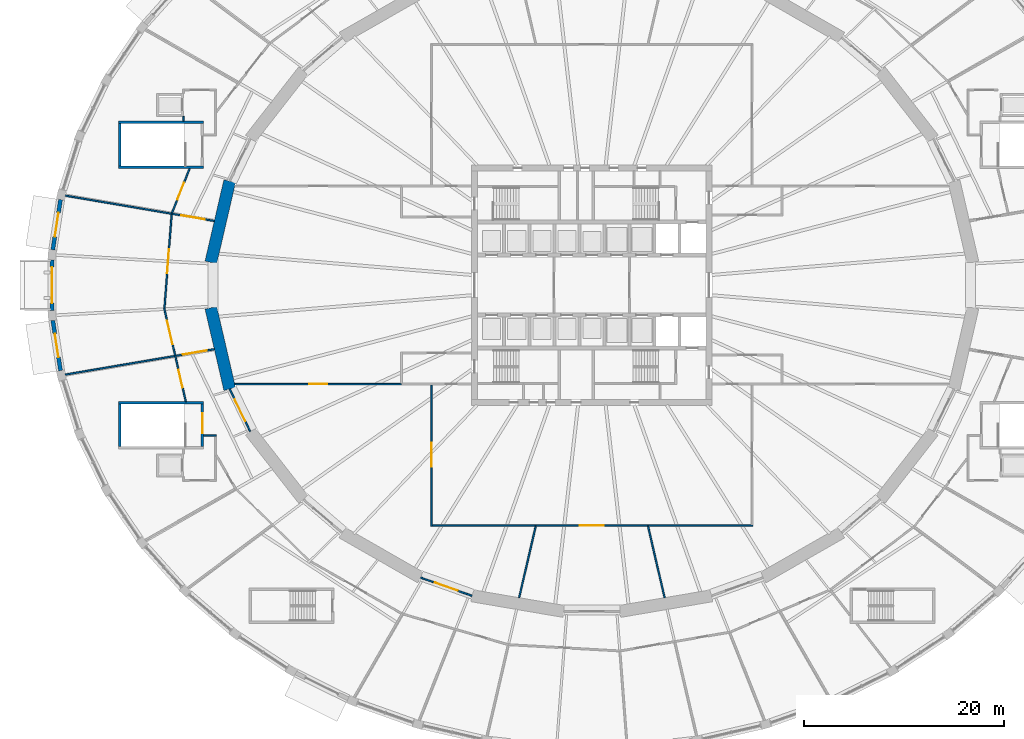
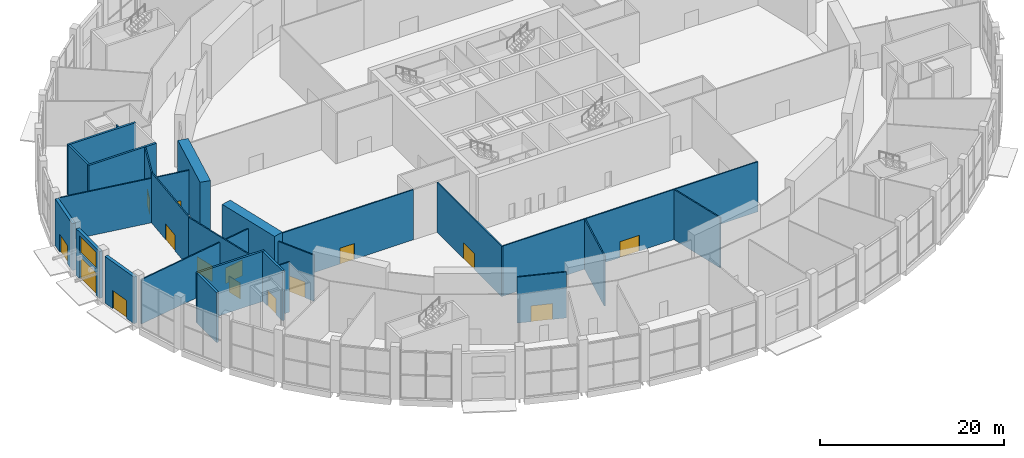
# One storey, part 20 of 33: 26 walls, 15 doors, 1 window, 16 openings.
"""IFC4 building model written with IfcOpenShell, lengths in metres."""

from ifc_helpers import new_model, si_unit, direction, frame, frame_2d, origin, place, context, subcontext, project, spatial, polyline, rectangle, outline, extrude, material, layer, layer_set, type_object, element, fill, save


model = new_model("IFC4")

# Units and contexts
model_context = context("Model", 3, precision=1e-05, world=origin(), true_north=direction((0.0, 1.0)))
body_context = subcontext(model_context, "Body", "Model", "MODEL_VIEW")
ifc_project = project(units=[si_unit("LENGTHUNIT", "METRE"), si_unit("AREAUNIT", "SQUARE_METRE"), si_unit("VOLUMEUNIT", "CUBIC_METRE"), si_unit("PLANEANGLEUNIT", "RADIAN"), si_unit("MASSUNIT", "GRAM", prefix="KILO")], contexts=[model_context])

# Site, building, storey
site_placement = place(None, origin())
site = spatial("IfcSite", under=ifc_project, at=site_placement, CompositionType="ELEMENT")
building_placement = place(site_placement, origin())
building = spatial("IfcBuilding", under=site, at=building_placement, Name="Halqa Exchange Tower", CompositionType="ELEMENT")
storey_placement = place(building_placement, origin())
storey = spatial("IfcBuildingStorey", under=building, at=storey_placement, Name="L00", CompositionType="ELEMENT", Elevation=0.0)

# Wall, opening, door
ifc_material_1 = material(Name="Fire-rated gypsum board")
ifc_layer_1 = layer(ifc_material_1, 0.14990234375)
ifc_layer_set_1 = layer_set([ifc_layer_1], Name="Fire-rated gypsum board")
wall_type_1 = type_object("IfcWallType", Name="Fire partition EI 60 150", PredefinedType="PARTITIONING", material=ifc_layer_set_1)
wall_1_placement = place(storey_placement, frame((-52.574951171875, 8.935546875, 0.0), z_axis=(0.0, 0.0, 1.0), x_axis=(0.985799938149, -0.167924036236, 0.0)))
wall_1 = element("IfcWall", 1, at=wall_1_placement, inside=storey, type_object=wall_type_1, Name="L00-PWL-001", PredefinedType="PARTITIONING", context=body_context, shape_type="SweptSolid", body=[
    extrude(outline(polyline([(-0.00439453125, -0.074951171875), (15.096923828125, -0.074951171875), (15.105712890625, 0.074951171875), (0.00439453125, 0.074951171875), (-0.00439453125, -0.074951171875)])), origin(), (0.0, 0.0, 1.0), 5.89697265625),
])
opening_1_placement = place(wall_1_placement, frame((11.7431640625, 0.0, 0.0)))
opening_1 = element("IfcOpeningElement", 2, at=opening_1_placement, cuts=wall_1, Name="Opening L00-35", PredefinedType="OPENING", context=body_context, shape_type="SweptSolid", body=[
    extrude(rectangle(XDim=2.39990234375, YDim=2.10009765625, at=frame_2d((1.199951171875, 1.050048828125))), frame((0.0, 0.0869140625, 0.0), z_axis=(0.0, -1.0, 0.0), x_axis=(1.0, 0.0, 0.0)), (0.0, 0.0, 1.0), 0.173828125),
])
ifc_material_2 = material(Name="Steel fire door leaf", Category="steel")
door_type_1 = type_object("IfcDoorType", Name="Fire door FD60S double 2400 x 2100", OperationType="DOUBLE_DOOR_SINGLE_SWING", PredefinedType="DOOR", material=ifc_material_2)
door_1_placement = place(opening_1_placement, origin())
door_1 = element("IfcDoor", 3, at=door_1_placement, inside=storey, type_object=door_type_1, Name="L00-IDR-035", OperationType="DOUBLE_DOOR_SINGLE_SWING", OverallHeight=2.10009765625, OverallWidth=2.39990234375, PredefinedType="DOOR", context=body_context, shape_type="SweptSolid", body=[
    extrude(rectangle(XDim=2.39990234375, YDim=2.10009765625, at=frame_2d((1.199951171875, 1.050048828125))), frame((0.0, 0.02490234375, 0.0), z_axis=(0.0, -1.0, 0.0), x_axis=(1.0, 0.0, 0.0)), (0.0, 0.0, 1.0), 0.050048828125),
])
fill(opening_1, door_1)

# Wall, openings, doors
wall_2_placement = place(storey_placement, frame((-42.694091796875, -2.285888671875, 0.0), z_axis=(0.0, 0.0, 1.0), x_axis=(0.225867367758, -0.974158063243, 0.0)))
wall_2 = element("IfcWall", 4, at=wall_2_placement, inside=storey, type_object=wall_type_1, Name="L00-PWL-003", PredefinedType="PARTITIONING", context=body_context, shape_type="SweptSolid", body=[
    extrude(outline(polyline([(0.0, -0.074951171875), (9.5703125, -0.074951171875), (9.60498046875, 0.074951171875), (0.0, 0.074951171875), (0.0, -0.074951171875)])), origin(), (0.0, 0.0, 1.0), 6.64990234375),
])
opening_2_placement = place(wall_2_placement, frame((1.3095703125, 0.0, 0.0)))
opening_2 = element("IfcOpeningElement", 5, at=opening_2_placement, cuts=wall_2, Name="Opening L00-06", PredefinedType="OPENING", context=body_context, shape_type="SweptSolid", body=[
    extrude(rectangle(XDim=2.39990234375, YDim=2.10009765625, at=frame_2d((1.199951171875, 1.050048828125))), frame((0.0, 0.0869140625, 0.0), z_axis=(0.0, -1.0, 0.0), x_axis=(1.0, 0.0, 0.0)), (0.0, 0.0, 1.0), 0.173828125),
])
opening_3_placement = place(wall_2_placement, frame((6.346923828125, 0.0, 0.0)))
opening_3 = element("IfcOpeningElement", 6, at=opening_3_placement, cuts=wall_2, Name="Opening L00-69", PredefinedType="OPENING", context=body_context, shape_type="SweptSolid", body=[
    extrude(rectangle(XDim=1.800048828125, YDim=2.10009765625, at=frame_2d((0.89990234375, 1.050048828125))), frame((0.0, 0.0869140625, 0.0), z_axis=(0.0, -1.0, 0.0), x_axis=(1.0, 0.0, 0.0)), (0.0, 0.0, 1.0), 0.173828125),
])
door_type_2 = type_object("IfcDoorType", Name="Fire door FD30S double 1800 x 2100", OperationType="DOUBLE_DOOR_SINGLE_SWING", PredefinedType="DOOR", material=ifc_material_2)
door_2_placement = place(opening_3_placement, origin())
door_2 = element("IfcDoor", 7, at=door_2_placement, inside=storey, type_object=door_type_2, Name="L00-IDR-069", OperationType="DOUBLE_DOOR_SINGLE_SWING", OverallHeight=2.10009765625, OverallWidth=1.800048828125, PredefinedType="DOOR", context=body_context, shape_type="SweptSolid", body=[
    extrude(rectangle(XDim=1.800048828125, YDim=2.10009765625, at=frame_2d((0.89990234375, 1.050048828125))), frame((0.0, 0.02490234375, 0.0), z_axis=(0.0, -1.0, 0.0), x_axis=(1.0, 0.0, 0.0)), (0.0, 0.0, 1.0), 0.050048828125),
])
fill(opening_3, door_2)
door_3_placement = place(opening_2_placement, frame((2.39990234375, 0.0, 0.0), z_axis=(0.0, 0.0, 1.0), x_axis=(-1.0, 0.0, 0.0)))
door_3 = element("IfcDoor", 8, at=door_3_placement, inside=storey, type_object=door_type_1, Name="L00-IDR-006", OperationType="DOUBLE_DOOR_SINGLE_SWING", OverallHeight=2.10009765625, OverallWidth=2.39990234375, PredefinedType="DOOR", context=body_context, shape_type="SweptSolid", body=[
    extrude(rectangle(XDim=2.39990234375, YDim=2.10009765625, at=frame_2d((1.199951171875, 1.050048828125))), frame((0.0, 0.02490234375, 0.0), z_axis=(0.0, -1.0, 0.0), x_axis=(1.0, 0.0, 0.0)), (0.0, 0.0, 1.0), 0.050048828125),
])
fill(opening_2, door_3)

# Wall, opening, door
wall_3_placement = place(storey_placement, frame((-41.9462890625, 7.0498046875, 0.0), z_axis=(0.0, 0.0, 1.0), x_axis=(-0.076457040773, -0.997072876432, 0.0)))
wall_3 = element("IfcWall", 9, at=wall_3_placement, inside=storey, type_object=wall_type_1, Name="L00-PWL-004", PredefinedType="PARTITIONING", context=body_context, shape_type="SweptSolid", body=[
    extrude(outline(polyline([(-0.0068359375, -0.074951171875), (9.35595703125, -0.074951171875), (9.35595703125, 0.074951171875), (0.0068359375, 0.074951171875), (-0.0068359375, -0.074951171875)])), origin(), (0.0, 0.0, 1.0), 6.64990234375),
])
opening_4_placement = place(wall_3_placement, frame((3.493408203125, 0.0, 0.0)))
opening_4 = element("IfcOpeningElement", 10, at=opening_4_placement, cuts=wall_3, Name="Opening L00-05", PredefinedType="OPENING", context=body_context, shape_type="SweptSolid", body=[
    extrude(rectangle(XDim=2.39990234375, YDim=2.10009765625, at=frame_2d((1.199951171875, 1.050048828125))), frame((0.0, 0.0869140625, 0.0), z_axis=(0.0, -1.0, 0.0), x_axis=(1.0, 0.0, 0.0)), (0.0, 0.0, 1.0), 0.173828125),
])
door_4_placement = place(opening_4_placement, frame((2.39990234375, 0.0, 0.0), z_axis=(0.0, 0.0, 1.0), x_axis=(-1.0, 0.0, 0.0)))
door_4 = element("IfcDoor", 11, at=door_4_placement, inside=storey, type_object=door_type_1, Name="L00-IDR-005", OperationType="DOUBLE_DOOR_SINGLE_SWING", OverallHeight=2.10009765625, OverallWidth=2.39990234375, PredefinedType="DOOR", context=body_context, shape_type="SweptSolid", body=[
    extrude(rectangle(XDim=2.39990234375, YDim=2.10009765625, at=frame_2d((1.199951171875, 1.050048828125))), frame((0.0, 0.02490234375, 0.0), z_axis=(0.0, -1.0, 0.0), x_axis=(1.0, 0.0, 0.0)), (0.0, 0.0, 1.0), 0.050048828125),
])
fill(opening_4, door_4)

wall_4_placement = place(storey_placement, frame((-41.914306640625, 7.195068359375, 0.0), z_axis=(0.0, 0.0, 1.0), x_axis=(0.367845408551, 0.929886958403, 0.0)))
wall_4 = element("IfcWall", 12, at=wall_4_placement, inside=storey, type_object=wall_type_1, Name="L00-PWL-005", PredefinedType="PARTITIONING", context=body_context, shape_type="SweptSolid", body=[
    extrude(outline(polyline([(0.015869140625, -0.074951171875), (4.794189453125, -0.074951171875), (4.735107421875, 0.074951171875), (-0.015869140625, 0.074951171875), (0.015869140625, -0.074951171875)])), origin(), (0.0, 0.0, 1.0), 6.64990234375),
])
opening_5_placement = place(wall_4_placement, frame((1.44970703125, 0.0, 0.0)))
opening_5 = element("IfcOpeningElement", 13, at=opening_5_placement, cuts=wall_4, Name="Opening L00-68", PredefinedType="OPENING", context=body_context, shape_type="SweptSolid", body=[
    extrude(rectangle(XDim=1.800048828125, YDim=2.10009765625, at=frame_2d((0.89990234375, 1.050048828125))), frame((0.0, 0.0869140625, 0.0), z_axis=(0.0, -1.0, 0.0), x_axis=(1.0, 0.0, 0.0)), (0.0, 0.0, 1.0), 0.173828125),
])
door_5_placement = place(opening_5_placement, frame((1.800048828125, 0.0, 0.0), z_axis=(0.0, 0.0, 1.0), x_axis=(-1.0, 0.0, 0.0)))
door_5 = element("IfcDoor", 14, at=door_5_placement, inside=storey, type_object=door_type_2, Name="L00-IDR-068", OperationType="DOUBLE_DOOR_SINGLE_SWING", OverallHeight=2.10009765625, OverallWidth=1.800048828125, PredefinedType="DOOR", context=body_context, shape_type="SweptSolid", body=[
    extrude(rectangle(XDim=1.800048828125, YDim=2.10009765625, at=frame_2d((0.89990234375, 1.050048828125))), frame((0.0, 0.02490234375, 0.0), z_axis=(0.0, -1.0, 0.0), x_axis=(1.0, 0.0, 0.0)), (0.0, 0.0, 1.0), 0.050048828125),
])
fill(opening_5, door_5)

# Walls
wall_5_placement = place(storey_placement, frame((-41.657958984375, -7.083251953125, 0.0), z_axis=(0.0, 0.0, 1.0), x_axis=(-0.985913056055, -0.167258619806, 0.0)))
element("IfcWall", 15, at=wall_5_placement, inside=storey, type_object=wall_type_1, Name="L00-PWL-006", PredefinedType="PARTITIONING", context=body_context, shape_type="SweptSolid", body=[
    extrude(outline(polyline([(0.00439453125, -0.074951171875), (11.077392578125, -0.074951171875), (11.068603515625, 0.074951171875), (-0.00439453125, 0.074951171875), (0.00439453125, -0.074951171875)])), origin(), (0.0, 0.0, 1.0), 5.89697265625),
])
wall_6_placement = place(storey_placement, frame((-40.75, 16.3740234375, 0.0), z_axis=(0.0, 0.0, 1.0), x_axis=(0.0, 1.0, 0.0)))
element("IfcWall", 16, at=wall_6_placement, inside=storey, type_object=wall_type_1, Name="L00-PWL-009", PredefinedType="PARTITIONING", context=body_context, shape_type="SweptSolid", body=[
    extrude(rectangle(XDim=0.47607421875, YDim=0.14990234375, at=frame_2d((0.238037109375, 0.0))), origin(), (0.0, 0.0, 1.0), 6.64990234375),
])
wall_7_placement = place(storey_placement, frame((-38.7509765625, -15.0, 0.0), z_axis=(0.0, 0.0, 1.0), x_axis=(1.0, 0.0, 0.0)))
element("IfcWall", 17, at=wall_7_placement, inside=storey, type_object=wall_type_1, Name="L00-PWL-013", PredefinedType="PARTITIONING", context=body_context, shape_type="SweptSolid", body=[
    extrude(rectangle(XDim=1.27587890625, YDim=0.14990234375, at=frame_2d((0.637939453125, 0.0))), origin(), (0.0, 0.0, 1.0), 6.64990234375),
])

# Wall, opening, door
wall_8_placement = place(storey_placement, frame((-37.68798828125, -6.399658203125, 0.0), z_axis=(0.0, 0.0, 1.0), x_axis=(-0.985493521891, -0.169713046966, 0.0)))
wall_8 = element("IfcWall", 18, at=wall_8_placement, inside=storey, type_object=wall_type_1, Name="L00-PWL-014", PredefinedType="PARTITIONING", context=body_context, shape_type="SweptSolid", body=[
    extrude(outline(polyline([(0.00439453125, -0.074951171875), (3.88427734375, -0.074951171875), (3.87548828125, 0.074951171875), (-0.00439453125, 0.074951171875), (0.00439453125, -0.074951171875)])), origin(), (0.0, 0.0, 1.0), 5.89697265625),
])
opening_6_placement = place(wall_8_placement, frame((0.775634765625, 0.0, 0.0)))
opening_6 = element("IfcOpeningElement", 19, at=opening_6_placement, cuts=wall_8, Name="Opening L00-36", PredefinedType="OPENING", context=body_context, shape_type="SweptSolid", body=[
    extrude(rectangle(XDim=2.39990234375, YDim=2.10009765625, at=frame_2d((1.199951171875, 1.050048828125))), frame((0.0, 0.0869140625, 0.0), z_axis=(0.0, -1.0, 0.0), x_axis=(1.0, 0.0, 0.0)), (0.0, 0.0, 1.0), 0.173828125),
])
door_6_placement = place(opening_6_placement, origin())
door_6 = element("IfcDoor", 20, at=door_6_placement, inside=storey, type_object=door_type_1, Name="L00-IDR-036", OperationType="DOUBLE_DOOR_SINGLE_SWING", OverallHeight=2.10009765625, OverallWidth=2.39990234375, PredefinedType="DOOR", context=body_context, shape_type="SweptSolid", body=[
    extrude(rectangle(XDim=2.39990234375, YDim=2.10009765625, at=frame_2d((1.199951171875, 1.050048828125))), frame((0.0, 0.02490234375, 0.0), z_axis=(0.0, -1.0, 0.0), x_axis=(1.0, 0.0, 0.0)), (0.0, 0.0, 1.0), 0.050048828125),
])
fill(opening_6, door_6)

wall_9_placement = place(storey_placement, frame((-34.1005859375, -14.608642578125, 0.0), z_axis=(0.0, 0.0, 1.0), x_axis=(-0.436102687495, 0.899896908518, 0.0)))
wall_9 = element("IfcWall", 21, at=wall_9_placement, inside=storey, type_object=wall_type_1, Name="L00-PWL-025", PredefinedType="PARTITIONING", context=body_context, shape_type="SweptSolid", body=[
    extrude(outline(polyline([(0.01611328125, -0.074951171875), (4.68212890625, -0.074951171875), (4.71630859375, 0.074951171875), (-0.01611328125, 0.074951171875), (0.01611328125, -0.074951171875)])), origin(), (0.0, 0.0, 1.0), 6.10009765625),
])
opening_7_placement = place(wall_9_placement, frame((1.148681640625, 0.0, 0.0)))
opening_7 = element("IfcOpeningElement", 22, at=opening_7_placement, cuts=wall_9, Name="Opening L00-28", PredefinedType="OPENING", context=body_context, shape_type="SweptSolid", body=[
    extrude(rectangle(XDim=2.39990234375, YDim=2.10009765625, at=frame_2d((1.199951171875, 1.050048828125))), frame((0.0, 0.0869140625, 0.0), z_axis=(0.0, -1.0, 0.0), x_axis=(1.0, 0.0, 0.0)), (0.0, 0.0, 1.0), 0.173828125),
])
door_7_placement = place(opening_7_placement, frame((2.39990234375, 0.0, 0.0), z_axis=(0.0, 0.0, 1.0), x_axis=(-1.0, 0.0, 0.0)))
door_7 = element("IfcDoor", 23, at=door_7_placement, inside=storey, type_object=door_type_1, Name="L00-IDR-028", OperationType="DOUBLE_DOOR_SINGLE_SWING", OverallHeight=2.10009765625, OverallWidth=2.39990234375, PredefinedType="DOOR", context=body_context, shape_type="SweptSolid", body=[
    extrude(rectangle(XDim=2.39990234375, YDim=2.10009765625, at=frame_2d((1.199951171875, 1.050048828125))), frame((0.0, 0.02490234375, 0.0), z_axis=(0.0, -1.0, 0.0), x_axis=(1.0, 0.0, 0.0)), (0.0, 0.0, 1.0), 0.050048828125),
])
fill(opening_7, door_7)

wall_10_placement = place(storey_placement, frame((-18.9990234375, -9.8798828125, 0.0), z_axis=(0.0, 0.0, 1.0), x_axis=(-1.0, 0.0, 0.0)))
wall_10 = element("IfcWall", 24, at=wall_10_placement, inside=storey, type_object=wall_type_1, Name="L00-PWL-032", PredefinedType="PARTITIONING", context=body_context, shape_type="SweptSolid", body=[
    extrude(outline(polyline([(0.0, -0.074951171875), (16.668212890625, -0.074951171875), (16.633544921875, 0.074951171875), (0.0, 0.074951171875), (0.0, -0.074951171875)])), origin(), (0.0, 0.0, 1.0), 6.64990234375),
])
opening_8_placement = place(wall_10_placement, frame((7.406005859375, 0.0, 0.0)))
opening_8 = element("IfcOpeningElement", 25, at=opening_8_placement, cuts=wall_10, Name="Opening L00-08", PredefinedType="OPENING", context=body_context, shape_type="SweptSolid", body=[
    extrude(rectangle(XDim=1.800048828125, YDim=2.10009765625, at=frame_2d((0.89990234375, 1.050048828125))), frame((0.0, 0.0869140625, 0.0), z_axis=(0.0, -1.0, 0.0), x_axis=(1.0, 0.0, 0.0)), (0.0, 0.0, 1.0), 0.173828125),
])
door_8_placement = place(opening_8_placement, origin())
door_8 = element("IfcDoor", 26, at=door_8_placement, inside=storey, type_object=door_type_2, Name="L00-IDR-008", OperationType="DOUBLE_DOOR_SINGLE_SWING", OverallHeight=2.10009765625, OverallWidth=1.800048828125, PredefinedType="DOOR", context=body_context, shape_type="SweptSolid", body=[
    extrude(rectangle(XDim=1.800048828125, YDim=2.10009765625, at=frame_2d((0.89990234375, 1.050048828125))), frame((0.0, 0.02490234375, 0.0), z_axis=(0.0, -1.0, 0.0), x_axis=(1.0, 0.0, 0.0)), (0.0, 0.0, 1.0), 0.050048828125),
])
fill(opening_8, door_8)

wall_11_placement = place(storey_placement, frame((-16.0, -24.074951171875, 0.0), z_axis=(0.0, 0.0, 1.0), x_axis=(0.0, 1.0, 0.0)))
wall_11 = element("IfcWall", 27, at=wall_11_placement, inside=storey, type_object=wall_type_1, Name="L00-PWL-042", PredefinedType="PARTITIONING", context=body_context, shape_type="SweptSolid", body=[
    extrude(rectangle(XDim=14.094970703125, YDim=0.14990234375, at=frame_2d((7.04736328125, 0.0))), origin(), (0.0, 0.0, 1.0), 6.64990234375),
])
opening_9_placement = place(wall_11_placement, frame((5.93505859375, 0.0, 0.0)))
opening_9 = element("IfcOpeningElement", 28, at=opening_9_placement, cuts=wall_11, Name="Opening L00-13", PredefinedType="OPENING", context=body_context, shape_type="SweptSolid", body=[
    extrude(rectangle(XDim=2.39990234375, YDim=2.10009765625, at=frame_2d((1.199951171875, 1.050048828125))), frame((0.0, 0.0869140625, 0.0), z_axis=(0.0, -1.0, 0.0), x_axis=(1.0, 0.0, 0.0)), (0.0, 0.0, 1.0), 0.173828125),
])
door_9_placement = place(opening_9_placement, origin())
door_9 = element("IfcDoor", 29, at=door_9_placement, inside=storey, type_object=door_type_1, Name="L00-IDR-013", OperationType="DOUBLE_DOOR_SINGLE_SWING", OverallHeight=2.10009765625, OverallWidth=2.39990234375, PredefinedType="DOOR", context=body_context, shape_type="SweptSolid", body=[
    extrude(rectangle(XDim=2.39990234375, YDim=2.10009765625, at=frame_2d((1.199951171875, 1.050048828125))), frame((0.0, 0.02490234375, 0.0), z_axis=(0.0, -1.0, 0.0), x_axis=(1.0, 0.0, 0.0)), (0.0, 0.0, 1.0), 0.050048828125),
])
fill(opening_9, door_9)

wall_12_placement = place(storey_placement, frame((-15.925048828125, -24.0, 0.0), z_axis=(0.0, 0.0, 1.0), x_axis=(1.0, 0.0, 0.0)))
wall_12 = element("IfcWall", 30, at=wall_12_placement, inside=storey, type_object=wall_type_1, Name="L00-PWL-043", PredefinedType="PARTITIONING", context=body_context, shape_type="SweptSolid", body=[
    extrude(rectangle(XDim=32.0, YDim=0.14990234375, at=frame_2d((16.0, 0.0))), origin(), (0.0, 0.0, 1.0), 6.64990234375),
])
opening_10_placement = place(wall_12_placement, frame((14.72509765625, 0.0, 0.0)))
opening_10 = element("IfcOpeningElement", 31, at=opening_10_placement, cuts=wall_12, Name="Opening L00-18", PredefinedType="OPENING", context=body_context, shape_type="SweptSolid", body=[
    extrude(rectangle(XDim=2.39990234375, YDim=2.10009765625, at=frame_2d((1.199951171875, 1.050048828125))), frame((0.0, 0.0869140625, 0.0), z_axis=(0.0, -1.0, 0.0), x_axis=(1.0, 0.0, 0.0)), (0.0, 0.0, 1.0), 0.173828125),
])
door_10_placement = place(opening_10_placement, frame((2.39990234375, 0.0, 0.0), z_axis=(0.0, 0.0, 1.0), x_axis=(-1.0, 0.0, 0.0)))
door_10 = element("IfcDoor", 32, at=door_10_placement, inside=storey, type_object=door_type_1, Name="L00-IDR-018", OperationType="DOUBLE_DOOR_SINGLE_SWING", OverallHeight=2.10009765625, OverallWidth=2.39990234375, PredefinedType="DOOR", context=body_context, shape_type="SweptSolid", body=[
    extrude(rectangle(XDim=2.39990234375, YDim=2.10009765625, at=frame_2d((1.199951171875, 1.050048828125))), frame((0.0, 0.02490234375, 0.0), z_axis=(0.0, -1.0, 0.0), x_axis=(1.0, 0.0, 0.0)), (0.0, 0.0, 1.0), 0.050048828125),
])
fill(opening_10, door_10)

wall_13_placement = place(storey_placement, frame((-11.966796875, -31.01123046875, 0.0), z_axis=(0.0, 0.0, 1.0), x_axis=(-0.942814385805, 0.333318217204, 0.0)))
wall_13 = element("IfcWall", 33, at=wall_13_placement, inside=storey, type_object=wall_type_1, Name="L00-PWL-049", PredefinedType="PARTITIONING", context=body_context, shape_type="SweptSolid", body=[
    extrude(outline(polyline([(0.012939453125, -0.074951171875), (5.421142578125, -0.074951171875), (5.448486328125, 0.074951171875), (-0.012939453125, 0.074951171875), (0.012939453125, -0.074951171875)])), origin(), (0.0, 0.0, 1.0), 6.10009765625),
])
opening_11_placement = place(wall_13_placement, frame((1.518798828125, 0.0, 0.0)))
opening_11 = element("IfcOpeningElement", 34, at=opening_11_placement, cuts=wall_13, Name="Opening L00-30", PredefinedType="OPENING", context=body_context, shape_type="SweptSolid", body=[
    extrude(rectangle(XDim=2.39990234375, YDim=2.10009765625, at=frame_2d((1.199951171875, 1.050048828125))), frame((0.0, 0.0869140625, 0.0), z_axis=(0.0, -1.0, 0.0), x_axis=(1.0, 0.0, 0.0)), (0.0, 0.0, 1.0), 0.173828125),
])
door_11_placement = place(opening_11_placement, frame((2.39990234375, 0.0, 0.0), z_axis=(0.0, 0.0, 1.0), x_axis=(-1.0, 0.0, 0.0)))
door_11 = element("IfcDoor", 35, at=door_11_placement, inside=storey, type_object=door_type_1, Name="L00-IDR-030", OperationType="DOUBLE_DOOR_SINGLE_SWING", OverallHeight=2.10009765625, OverallWidth=2.39990234375, PredefinedType="DOOR", context=body_context, shape_type="SweptSolid", body=[
    extrude(rectangle(XDim=2.39990234375, YDim=2.10009765625, at=frame_2d((1.199951171875, 1.050048828125))), frame((0.0, 0.02490234375, 0.0), z_axis=(0.0, -1.0, 0.0), x_axis=(1.0, 0.0, 0.0)), (0.0, 0.0, 1.0), 0.050048828125),
])
fill(opening_11, door_11)

# Walls
wall_14_placement = place(storey_placement, frame((-7.260986328125, -31.203857421875, 0.0), z_axis=(0.0, 0.0, 1.0), x_axis=(0.225955625045, 0.974137595779, 0.0)))
element("IfcWall", 36, at=wall_14_placement, inside=storey, type_object=wall_type_1, Name="L00-PWL-052", PredefinedType="PARTITIONING", context=body_context, shape_type="SweptSolid", body=[
    extrude(outline(polyline([(0.00439453125, -0.074951171875), (7.33642578125, -0.074951171875), (7.3017578125, 0.074951171875), (-0.00439453125, 0.074951171875), (0.00439453125, -0.074951171875)])), origin(), (0.0, 0.0, 1.0), 6.64990234375),
])
wall_15_placement = place(storey_placement, frame((5.607177734375, -24.073974609375, 0.0), z_axis=(0.0, 0.0, 1.0), x_axis=(0.225955625045, -0.974137595779, 0.0)))
element("IfcWall", 37, at=wall_15_placement, inside=storey, type_object=wall_type_1, Name="L00-PWL-063", PredefinedType="PARTITIONING", context=body_context, shape_type="SweptSolid", body=[
    extrude(outline(polyline([(-0.017333984375, -0.074951171875), (7.314697265625, -0.074951171875), (7.323486328125, 0.074951171875), (0.017333984375, 0.074951171875), (-0.017333984375, -0.074951171875)])), origin(), (0.0, 0.0, 1.0), 6.64990234375),
])
ifc_material_3 = material(Name="Concrete C80/95", Category="concrete")
ifc_layer_2 = layer(ifc_material_3, 1.199951171875)
ifc_layer_set_2 = layer_set([ifc_layer_2], Name="Concrete C80/95")
wall_type_2 = type_object("IfcWallType", Name="RC ring pier 1200 C80/95", PredefinedType="SHEAR", material=ifc_layer_set_2)
for number, where, z_axis, x_axis, name in (
    (38, (-36.14892578125, 10.38037109375, 0.0), (0.0, 0.0, 1.0), (-0.226058185805, -0.974113800657, 0.0), "Ring pier 8"),
    (39, (-38.03173828125, -2.26708984375, 0.0), (0.0, 0.0, 1.0), (0.226058185805, -0.974113800657, 0.0), "Ring pier 9"),
):
    element("IfcWall", number, at=place(storey_placement, frame(where, z_axis=z_axis, x_axis=x_axis)), inside=storey, type_object=wall_type_2, Name=name, PredefinedType="SHEAR", context=body_context, shape_type="SweptSolid", body=[
        extrude(rectangle(XDim=8.328857421875, YDim=1.199951171875, at=frame_2d((4.16455078125, 0.0))), origin(), (0.0, 0.0, 1.0), 7.0),
    ])
ifc_material_4 = material(Name="Concrete C30/37", Category="concrete")
ifc_layer_3 = layer(ifc_material_4, 0.25)
ifc_layer_set_3 = layer_set([ifc_layer_3], Name="Concrete C30/37")
wall_type_3 = type_object("IfcWallType", Name="RC stair wall 250 C30/37", PredefinedType="SHEAR", material=ifc_layer_set_3)
for number, where, z_axis, x_axis, name in (
    (40, (-47.25, 16.25, 0.0), (0.0, 0.0, 1.0), (1.0, 0.0, 0.0), "Stair SS3 wall north"),
    (41, (-47.25, 11.75, 0.0), (0.0, 0.0, 1.0), (1.0, 0.0, 0.0), "Stair SS3 wall south"),
):
    element("IfcWall", number, at=place(storey_placement, frame(where, z_axis=z_axis, x_axis=x_axis)), inside=storey, type_object=wall_type_3, Name=name, PredefinedType="SHEAR", context=body_context, shape_type="SweptSolid", body=[
        extrude(rectangle(XDim=8.5, YDim=0.25, at=frame_2d((4.25, 0.0))), origin(), (0.0, 0.0, 1.0), 6.64990234375),
    ])
wall_16_placement = place(storey_placement, frame((-47.125, 11.875, 0.0), z_axis=(0.0, 0.0, 1.0), x_axis=(0.0, 1.0, 0.0)))
element("IfcWall", 42, at=wall_16_placement, inside=storey, type_object=wall_type_3, Name="Stair SS3 wall west", PredefinedType="SHEAR", context=body_context, shape_type="SweptSolid", body=[
    extrude(rectangle(XDim=4.25, YDim=0.25, at=frame_2d((2.125, 0.0))), origin(), (0.0, 0.0, 1.0), 6.64990234375),
])
wall_17_placement = place(storey_placement, frame((-47.25, -11.75, 0.0), z_axis=(0.0, 0.0, 1.0), x_axis=(1.0, 0.0, 0.0)))
element("IfcWall", 43, at=wall_17_placement, inside=storey, type_object=wall_type_3, Name="Stair SS4 wall north", PredefinedType="SHEAR", context=body_context, shape_type="SweptSolid", body=[
    extrude(rectangle(XDim=8.5, YDim=0.25, at=frame_2d((4.25, 0.0))), origin(), (0.0, 0.0, 1.0), 6.64990234375),
])
wall_18_placement = place(storey_placement, frame((-47.125, -16.125, 0.0), z_axis=(0.0, 0.0, 1.0), x_axis=(0.0, 1.0, 0.0)))
element("IfcWall", 44, at=wall_18_placement, inside=storey, type_object=wall_type_3, Name="Stair SS4 wall west", PredefinedType="SHEAR", context=body_context, shape_type="SweptSolid", body=[
    extrude(rectangle(XDim=4.25, YDim=0.25, at=frame_2d((2.125, 0.0))), origin(), (0.0, 0.0, 1.0), 6.64990234375),
])

# Wall, opening, door
wall_19_placement = place(storey_placement, frame((-38.875, -16.125, 0.0), z_axis=(0.0, 0.0, 1.0), x_axis=(0.0, 1.0, 0.0)))
wall_19 = element("IfcWall", 45, at=wall_19_placement, inside=storey, type_object=wall_type_3, Name="Stair SS4 wall east", PredefinedType="SHEAR", context=body_context, shape_type="SweptSolid", body=[
    extrude(rectangle(XDim=4.25, YDim=0.25, at=frame_2d((2.125, 0.0))), origin(), (0.0, 0.0, 1.0), 6.64990234375),
])
opening_12_placement = place(wall_19_placement, frame((1.324951171875, 0.0, 0.0)))
opening_12 = element("IfcOpeningElement", 46, at=opening_12_placement, cuts=wall_19, Name="Opening L00-C30", PredefinedType="OPENING", context=body_context, shape_type="SweptSolid", body=[
    extrude(rectangle(XDim=2.0, YDim=2.10009765625, at=frame_2d((1.0, 1.050048828125))), frame((0.0, 0.136962890625, 0.0), z_axis=(0.0, -1.0, 0.0), x_axis=(1.0, 0.0, 0.0)), (0.0, 0.0, 1.0), 0.27392578125),
])
door_type_3 = type_object("IfcDoorType", Name="Station stair double door FD90 2000 x 2100", OperationType="DOUBLE_DOOR_SINGLE_SWING", PredefinedType="DOOR", material=ifc_material_2)
door_12_placement = place(opening_12_placement, frame((2.0, 0.0, 0.0), z_axis=(0.0, 0.0, 1.0), x_axis=(-1.0, 0.0, 0.0)))
door_12 = element("IfcDoor", 47, at=door_12_placement, inside=storey, type_object=door_type_3, Name="Core room door", OperationType="DOUBLE_DOOR_SINGLE_SWING", OverallHeight=2.10009765625, OverallWidth=2.0, PredefinedType="DOOR", context=body_context, shape_type="SweptSolid", body=[
    extrude(rectangle(XDim=2.0, YDim=2.10009765625, at=frame_2d((1.0, 1.050048828125))), frame((0.0, 0.02490234375, 0.0), z_axis=(0.0, -1.0, 0.0), x_axis=(1.0, 0.0, 0.0)), (0.0, 0.0, 1.0), 0.050048828125),
])
fill(opening_12, door_12)

ifc_material_5 = material(Name="Limestone cladding", Category="masonry")
ifc_layer_4 = layer(ifc_material_5, 0.0400390625)
ifc_material_6 = material(Name="Ventilated cavity")
ifc_layer_5 = layer(ifc_material_6, 0.030029296875, ventilated=True)
ifc_material_7 = material(Name="Mineral wool insulation")
ifc_layer_6 = layer(ifc_material_7, 0.1201171875)
ifc_layer_7 = layer(ifc_material_4, 0.179931640625)
ifc_material_8 = material(Name="Internal plaster")
ifc_layer_8 = layer(ifc_material_8, 0.030029296875)
ifc_layer_set_4 = layer_set([ifc_layer_4, ifc_layer_5, ifc_layer_6, ifc_layer_7, ifc_layer_8], Name="Stone-faced insulated wall 400")
wall_type_4 = type_object("IfcWallType", Name="Stone-faced insulated wall 400", PredefinedType="STANDARD", material=ifc_layer_set_4)
wall_20_placement = place(storey_placement, frame((-53.038330078125, 8.53857421875, 0.0), z_axis=(0.0, 0.0, 1.0), x_axis=(-0.151778822734, -0.988414482375, 0.0)))
wall_20 = element("IfcWall", 48, at=wall_20_placement, inside=storey, type_object=wall_type_4, Name="Podium wall 23", PredefinedType="STANDARD", context=body_context, shape_type="SweptSolid", body=[
    extrude(rectangle(XDim=5.074951171875, YDim=0.39990234375, at=frame_2d((2.53759765625, 0.0))), origin(), (0.0, 0.0, 1.0), 6.199951171875),
])
opening_13_placement = place(wall_20_placement, frame((1.33740234375, 0.0, 0.0)))
opening_13 = element("IfcOpeningElement", 49, at=opening_13_placement, cuts=wall_20, Name="Opening SE-01", PredefinedType="OPENING", context=body_context, shape_type="SweptSolid", body=[
    extrude(rectangle(XDim=2.39990234375, YDim=2.39990234375, at=frame_2d((1.199951171875, 1.199951171875))), frame((0.0, 0.2119140625, 0.0), z_axis=(0.0, -1.0, 0.0), x_axis=(1.0, 0.0, 0.0)), (0.0, 0.0, 1.0), 0.423828125),
])
ifc_material_9 = material(Name="Clear low-emissivity glass in aluminium frame", Category="aluminium")
door_type_4 = type_object("IfcDoorType", Name="Steel exit door 2400 x 2400", OperationType="DOUBLE_DOOR_SINGLE_SWING", PredefinedType="DOOR", material=ifc_material_9)
door_13_placement = place(opening_13_placement, frame((2.39990234375, 0.0, 0.0), z_axis=(0.0, 0.0, 1.0), x_axis=(-1.0, 0.0, 0.0)))
door_13 = element("IfcDoor", 50, at=door_13_placement, inside=storey, type_object=door_type_4, Name="Exit door 1", OperationType="DOUBLE_DOOR_SINGLE_SWING", OverallHeight=2.39990234375, OverallWidth=2.39990234375, PredefinedType="DOOR", context=body_context, shape_type="SweptSolid", body=[
    extrude(rectangle(XDim=2.39990234375, YDim=2.39990234375, at=frame_2d((1.199951171875, 1.199951171875))), frame((0.0, 0.02490234375, 0.0), z_axis=(0.0, -1.0, 0.0), x_axis=(1.0, 0.0, 0.0)), (0.0, 0.0, 1.0), 0.050048828125),
])
fill(opening_13, door_13)

# Wall, openings, door, window
wall_21_placement = place(storey_placement, frame((-53.884521484375, 2.5283203125, 0.0), z_axis=(0.0, 0.0, 1.0), x_axis=(0.0, -1.0, 0.0)))
wall_21 = element("IfcWall", 51, at=wall_21_placement, inside=storey, type_object=wall_type_4, Name="Podium wall 24", PredefinedType="STANDARD", context=body_context, shape_type="SweptSolid", body=[
    extrude(rectangle(XDim=5.056640625, YDim=0.39990234375, at=frame_2d((2.5283203125, 0.0))), origin(), (0.0, 0.0, 1.0), 6.199951171875),
])
opening_14_placement = place(wall_21_placement, frame((0.728271484375, 0.0, 0.0)))
opening_14 = element("IfcOpeningElement", 52, at=opening_14_placement, cuts=wall_21, Name="Opening EN1-05", PredefinedType="OPENING", context=body_context, shape_type="SweptSolid", body=[
    extrude(rectangle(XDim=3.60009765625, YDim=3.0, at=frame_2d((1.800048828125, 1.5))), frame((0.0, 0.2119140625, 0.0), z_axis=(0.0, -1.0, 0.0), x_axis=(1.0, 0.0, 0.0)), (0.0, 0.0, 1.0), 0.423828125),
])
opening_15_placement = place(wall_21_placement, frame((0.728271484375, 0.0, 3.449951171875)))
opening_15 = element("IfcOpeningElement", 53, at=opening_15_placement, cuts=wall_21, Name="Opening WE-05", PredefinedType="OPENING", context=body_context, shape_type="SweptSolid", body=[
    extrude(rectangle(XDim=3.60009765625, YDim=2.25, at=frame_2d((1.800048828125, 1.125))), frame((0.0, 0.2119140625, 0.0), z_axis=(0.0, -1.0, 0.0), x_axis=(1.0, 0.0, 0.0)), (0.0, 0.0, 1.0), 0.423828125),
])
door_type_5 = type_object("IfcDoorType", Name="Automatic sliding entrance door 3600 x 3000", OperationType="DOUBLE_DOOR_SLIDING", PredefinedType="DOOR", material=ifc_material_9)
door_14_placement = place(opening_14_placement, frame((3.60009765625, 0.0, 0.0), z_axis=(0.0, 0.0, 1.0), x_axis=(-1.0, 0.0, 0.0)))
door_14 = element("IfcDoor", 54, at=door_14_placement, inside=storey, type_object=door_type_5, Name="Entrance door 5", OperationType="DOUBLE_DOOR_SLIDING", OverallHeight=3.0, OverallWidth=3.60009765625, PredefinedType="DOOR", context=body_context, shape_type="SweptSolid", body=[
    extrude(rectangle(XDim=3.60009765625, YDim=3.0, at=frame_2d((1.800048828125, 1.5))), frame((0.0, 0.02490234375, 0.0), z_axis=(0.0, -1.0, 0.0), x_axis=(1.0, 0.0, 0.0)), (0.0, 0.0, 1.0), 0.050048828125),
])
fill(opening_14, door_14)
window_type = type_object("IfcWindowType", Name="Fixed clear entrance window 3600 x 2250", PartitioningType="TRIPLE_PANEL_VERTICAL", PredefinedType="WINDOW", material=ifc_material_9)
window_placement = place(opening_15_placement, origin())
window = element("IfcWindow", 55, at=window_placement, inside=storey, type_object=window_type, Name="Entrance window", OverallHeight=2.25, OverallWidth=3.60009765625, PartitioningType="TRIPLE_PANEL_VERTICAL", PredefinedType="WINDOW", context=body_context, shape_type="SweptSolid", body=[
    extrude(rectangle(XDim=3.60009765625, YDim=2.25, at=frame_2d((1.800048828125, 1.125))), frame((0.0, 0.030029296875, 0.0), z_axis=(0.0, -1.0, 0.0), x_axis=(1.0, 0.0, 0.0)), (0.0, 0.0, 1.0), 0.06005859375),
])
fill(opening_15, window)

# Wall, opening, door
wall_22_placement = place(storey_placement, frame((-53.80859375, -3.5224609375, 0.0), z_axis=(0.0, 0.0, 1.0), x_axis=(0.151778822734, -0.988414482375, 0.0)))
wall_22 = element("IfcWall", 56, at=wall_22_placement, inside=storey, type_object=wall_type_4, Name="Podium wall 25", PredefinedType="STANDARD", context=body_context, shape_type="SweptSolid", body=[
    extrude(rectangle(XDim=5.074951171875, YDim=0.39990234375, at=frame_2d((2.53759765625, 0.0))), origin(), (0.0, 0.0, 1.0), 6.199951171875),
])
opening_16_placement = place(wall_22_placement, frame((1.33740234375, 0.0, 0.0)))
opening_16 = element("IfcOpeningElement", 57, at=opening_16_placement, cuts=wall_22, Name="Opening SE-02", PredefinedType="OPENING", context=body_context, shape_type="SweptSolid", body=[
    extrude(rectangle(XDim=2.39990234375, YDim=2.39990234375, at=frame_2d((1.199951171875, 1.199951171875))), frame((0.0, 0.2119140625, 0.0), z_axis=(0.0, -1.0, 0.0), x_axis=(1.0, 0.0, 0.0)), (0.0, 0.0, 1.0), 0.423828125),
])
door_15_placement = place(opening_16_placement, frame((2.39990234375, 0.0, 0.0), z_axis=(0.0, 0.0, 1.0), x_axis=(-1.0, 0.0, 0.0)))
door_15 = element("IfcDoor", 58, at=door_15_placement, inside=storey, type_object=door_type_4, Name="Exit door 2", OperationType="DOUBLE_DOOR_SINGLE_SWING", OverallHeight=2.39990234375, OverallWidth=2.39990234375, PredefinedType="DOOR", context=body_context, shape_type="SweptSolid", body=[
    extrude(rectangle(XDim=2.39990234375, YDim=2.39990234375, at=frame_2d((1.199951171875, 1.199951171875))), frame((0.0, 0.02490234375, 0.0), z_axis=(0.0, -1.0, 0.0), x_axis=(1.0, 0.0, 0.0)), (0.0, 0.0, 1.0), 0.050048828125),
])
fill(opening_16, door_15)

save(model, "model.ifc")
